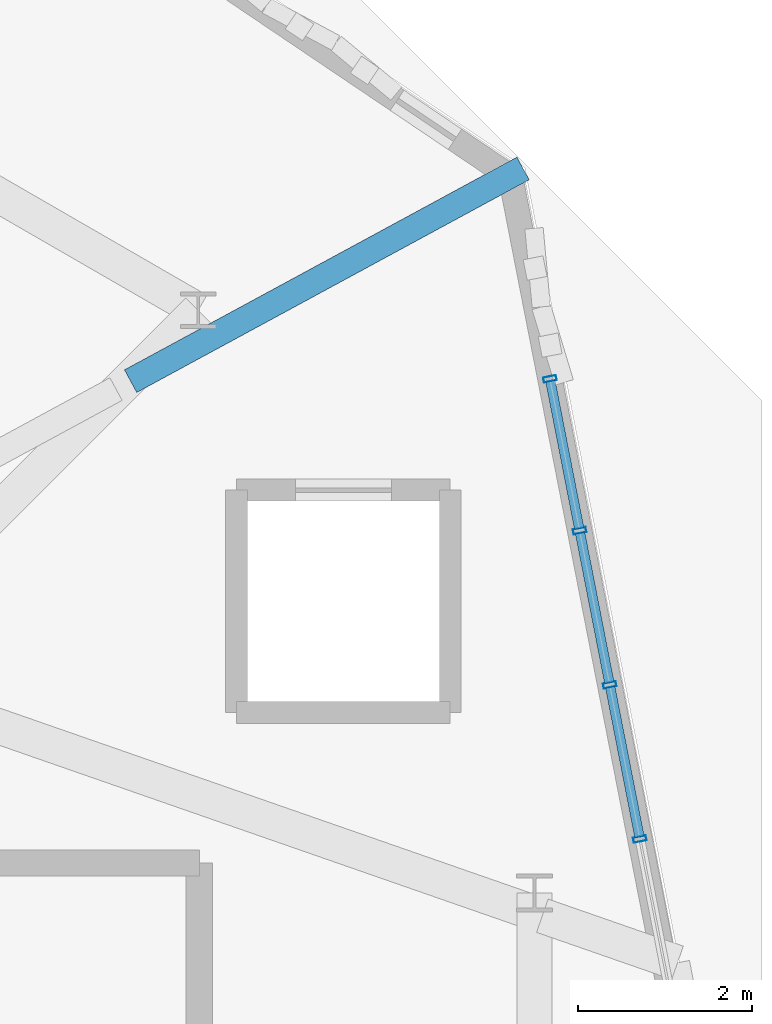
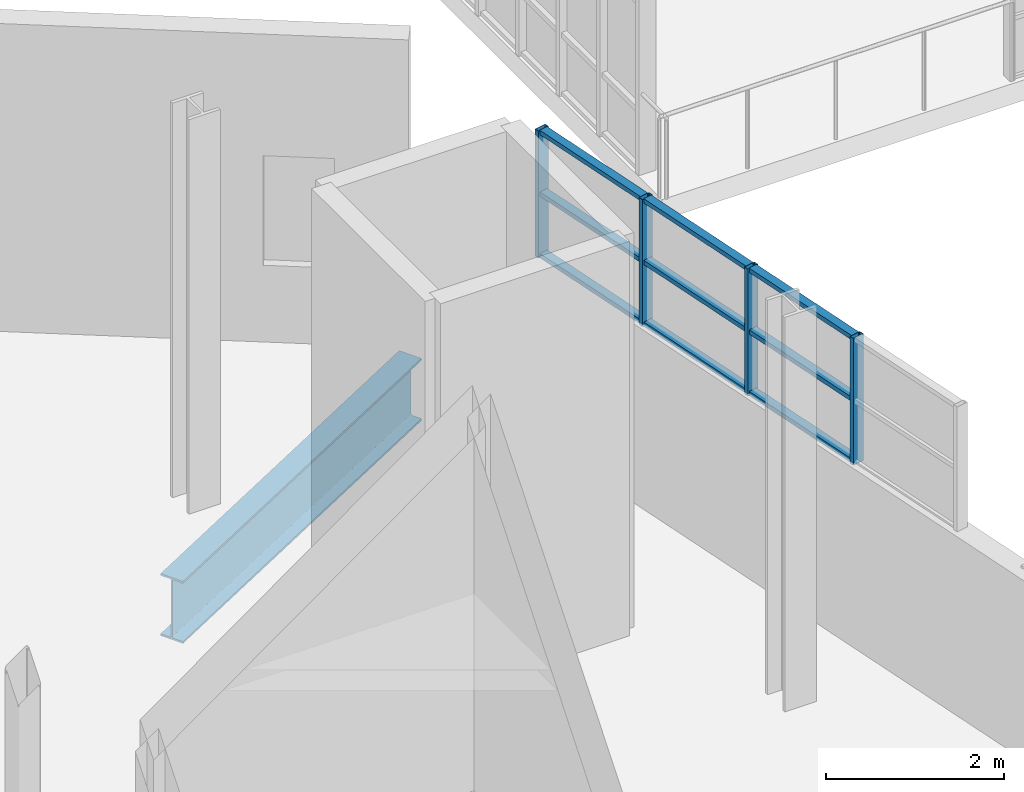
# One storey, part 44 of 142: 13 members, 1 beam, 1 element without a shape of its own.
"""IFC4 building model written with IfcOpenShell, lengths in metres."""

import ifcopenshell
import ifcopenshell.guid

model = None  # the IFC model being written
_history = None  # IfcOwnerHistory: only IFC2X3 demands one
_inside = {}  # id of a spatial element -> (the spatial element, [elements in it])
_under = {}  # id of a project, library or spatial element -> (it, [spatial elements below it])
_declared = {}  # id of a project -> (the project, [libraries it declares])
_typed = {}  # id of a type object -> (the type object, [elements of that type])
_made_of = {}  # id of a material, layer set ... -> (it, [elements and type objects made of it])


def new_model(schema):
    """Start an empty IFC model of exactly this schema.

    Asked for "IFC4X3", IfcOpenShell would pick the latest addendum, in which some entities
    have other attributes; the version numbers below select the first issue.
    IFC2X3 requires an IfcOwnerHistory on every rooted entity: one is made here for all.
    """
    global model, _history
    if schema == "IFC4X3":
        model = ifcopenshell.file(schema_version=(4, 3, 0, 0))
    else:
        model = ifcopenshell.file(schema=schema)
    _inside.clear()
    _under.clear()
    _declared.clear()
    _typed.clear()
    _made_of.clear()
    _history = None
    if model.schema == "IFC2X3":
        org = make("IfcOrganization", Name="unknown")
        user = make(
            "IfcPersonAndOrganization",
            ThePerson=make("IfcPerson", FamilyName="unknown"),
            TheOrganization=org,
        )
        app = make(
            "IfcApplication",
            ApplicationDeveloper=org,
            Version="unknown",
            ApplicationFullName="unknown",
            ApplicationIdentifier="unknown",
        )
        _history = make(
            "IfcOwnerHistory",
            OwningUser=user,
            OwningApplication=app,
            ChangeAction="ADDED",
            CreationDate=0,
        )
    return model


def make(cls, **values):
    """One entity of the class cls with the attributes given. An attribute that is None is left unset."""
    return model.create_entity(
        cls, **{name: value for name, value in values.items() if value is not None}
    )


def rooted(cls, **values):
    """An entity with a GlobalId (a new one), such as an element, a storey or a relation."""
    return make(cls, GlobalId=ifcopenshell.guid.new(), OwnerHistory=_history, **values)


def si_unit(unit_type, name, prefix=None):
    """IfcSIUnit, for example si_unit("LENGTHUNIT", "METRE", prefix="MILLI")."""
    return make("IfcSIUnit", UnitType=unit_type, Prefix=prefix, Name=name)


def assignment(units):
    """IfcUnitAssignment: the units of a project."""
    return None if units is None else make("IfcUnitAssignment", Units=units)


def point(xyz):
    """IfcCartesianPoint."""
    return None if xyz is None else make("IfcCartesianPoint", Coordinates=xyz)


def direction(xyz):
    """IfcDirection."""
    return None if xyz is None else make("IfcDirection", DirectionRatios=xyz)


def frame(location, z_axis=None, x_axis=None):
    """IfcAxis2Placement3D, a coordinate frame: its origin and axes. An axis left out is left unset."""
    return make(
        "IfcAxis2Placement3D",
        Location=point(location),
        Axis=direction(z_axis),
        RefDirection=direction(x_axis),
    )


def frame_2d(location, x_axis=None):
    """IfcAxis2Placement2D, a coordinate frame in the plane: its origin and x axis."""
    return make(
        "IfcAxis2Placement2D", Location=point(location), RefDirection=direction(x_axis)
    )


def origin():
    """The frame at (0, 0, 0) with its axes left unset."""
    return frame((0.0, 0.0, 0.0))


def origin_2d():
    """The frame at (0, 0) in the plane with its x axis left unset."""
    return frame_2d((0.0, 0.0))


def place(relative_to, where):
    """IfcLocalPlacement: puts the frame where relative to a parent placement (None: the world)."""
    return make(
        "IfcLocalPlacement", PlacementRelTo=relative_to, RelativePlacement=where
    )


def context(
    kind, dimensions, precision=None, world=None, true_north=None, identifier=None
):
    """IfcGeometricRepresentationContext, for example the 3D "Model" context."""
    return make(
        "IfcGeometricRepresentationContext",
        ContextIdentifier=identifier,
        ContextType=kind,
        CoordinateSpaceDimension=dimensions,
        Precision=precision,
        WorldCoordinateSystem=world,
        TrueNorth=true_north,
    )


def subcontext(parent, identifier, kind, view, scale=None):
    """IfcGeometricRepresentationSubContext, for example "Body" below "Model"."""
    return make(
        "IfcGeometricRepresentationSubContext",
        ContextIdentifier=identifier,
        ContextType=kind,
        ParentContext=parent,
        TargetScale=scale,
        TargetView=view,
    )


def project(units=None, contexts=None):
    """IfcProject with its units and contexts."""
    return rooted(
        "IfcProject",
        Name="project",
        RepresentationContexts=contexts,
        UnitsInContext=assignment(units),
    )


def spatial(cls, under=None, at=None, **own):
    """A site, building, storey or space (cls), placed at a placement, below another one or the project."""
    s = rooted(cls, ObjectPlacement=at, **own)
    if under is not None:
        _under.setdefault(under.id(), (under, []))[1].append(s)
    return s


def profile(cls, at=None, kind="AREA", **sizes):
    """A parametric profile (cls). Its sizes go by their IFC names, for example OverallWidth=200.0."""
    return make(cls, ProfileType=kind, Position=at, **sizes)


def hollow_rectangle(**sizes):
    """IfcRectangleHollowProfileDef."""
    return profile("IfcRectangleHollowProfileDef", **sizes)


def i_section(**sizes):
    """IfcIShapeProfileDef."""
    return profile("IfcIShapeProfileDef", **sizes)


def extrude(swept, where, along, depth):
    """IfcExtrudedAreaSolid: the profile swept, set in the frame where, extruded along a direction by depth."""
    return make(
        "IfcExtrudedAreaSolid",
        SweptArea=swept,
        Position=where,
        ExtrudedDirection=direction(along),
        Depth=depth,
    )


def shape(context_of_items, identifier, shape_type, items):
    """IfcShapeRepresentation: the items that make up one representation, for example the "Body"."""
    return make(
        "IfcShapeRepresentation",
        ContextOfItems=context_of_items,
        RepresentationIdentifier=identifier,
        RepresentationType=shape_type,
        Items=items,
    )


def material(Name=None, Category=None):
    """IfcMaterial."""
    return make("IfcMaterial", Name=Name, Category=Category)


def layer(
    of_material, thickness, ventilated=None, Name=None, Category=None, Priority=None
):
    """IfcMaterialLayer: one layer of a wall or slab, of a material (None: an air gap)."""
    return make(
        "IfcMaterialLayer",
        Material=of_material,
        LayerThickness=thickness,
        IsVentilated=ventilated,
        Name=Name,
        Category=Category,
        Priority=Priority,
    )


def layer_set(layers, Name=None):
    """IfcMaterialLayerSet."""
    return make("IfcMaterialLayerSet", MaterialLayers=layers, LayerSetName=Name)


def material_profile(
    of_material, cross_section, Name=None, Category=None, Priority=None
):
    """IfcMaterialProfile: a cross section and its material."""
    return make(
        "IfcMaterialProfile",
        Name=Name,
        Material=of_material,
        Profile=cross_section,
        Priority=Priority,
        Category=Category,
    )


def profile_set(profiles, Name=None, composite=None):
    """IfcMaterialProfileSet."""
    return make(
        "IfcMaterialProfileSet",
        Name=Name,
        MaterialProfiles=profiles,
        CompositeProfile=composite,
    )


def made_of(thing, what):
    """Note that an element or type object is made of a material, layer set ...; save() writes the relation."""
    if what is not None:
        _made_of.setdefault(what.id(), (what, []))[1].append(thing)
    return thing


def type_object(cls, material=None, **own):
    """A type object (cls), such as IfcWallType, which elements share."""
    return made_of(rooted(cls, **own), material)


def element(
    cls,
    number,
    at=None,
    inside=None,
    cuts=None,
    type_object=None,
    material=None,
    context=None,
    identifier="Body",
    shape_type=None,
    held_by="IfcProductDefinitionShape",
    body=None,
    shapes=None,
    **own,
):
    """One element of the class cls, such as IfcWall. Its Tag is "e" and its number.

    at: its placement. inside: the storey or other place that contains it. cuts: it is an
    opening in that element (IfcRelVoidsElement). A single representation is given by context,
    identifier, shape_type and body (its items); several are given by shapes. held_by: the class
    of the entity that holds the representations. save() writes the other relations.
    """
    e = rooted(cls, Tag="e%d" % number, ObjectPlacement=at, **own)
    if body is not None:
        shapes = [shape(context, identifier, shape_type, body)]
    if shapes is not None:
        e.Representation = make(held_by, Representations=shapes)
    if inside is not None:
        _inside.setdefault(inside.id(), (inside, []))[1].append(e)
    if cuts is not None:
        rooted(
            "IfcRelVoidsElement", RelatingBuildingElement=cuts, RelatedOpeningElement=e
        )
    if type_object is not None:
        _typed.setdefault(type_object.id(), (type_object, []))[1].append(e)
    return made_of(e, material)


def aggregate(whole, parts):
    """IfcRelAggregates: a whole, such as a stair, and the parts it consists of."""
    return rooted("IfcRelAggregates", RelatingObject=whole, RelatedObjects=parts)


def save(model, path):
    """Write the relations noted so far, then the file.

    IfcRelAggregates (storeys below a building ...), IfcRelContainedInSpatialStructure (elements
    in a storey), IfcRelDefinesByType, IfcRelAssociatesMaterial and IfcRelDeclares: one each for
    every whole, place, type object, material and project.
    """
    for whole, parts in _under.values():
        aggregate(whole, parts)
    for where, things in _inside.values():
        rooted(
            "IfcRelContainedInSpatialStructure",
            RelatedElements=things,
            RelatingStructure=where,
        )
    for kind, things in _typed.values():
        rooted("IfcRelDefinesByType", RelatedObjects=things, RelatingType=kind)
    for what, things in _made_of.values():
        rooted("IfcRelAssociatesMaterial", RelatedObjects=things, RelatingMaterial=what)
    for by, libraries in _declared.values():
        rooted("IfcRelDeclares", RelatingContext=by, RelatedDefinitions=libraries)
    model.write(path)


model = new_model("IFC4")

# Units and contexts
model_context = context("Model", 3, precision=1e-05, world=origin(), true_north=direction((0.0, 1.0)))
body_context = subcontext(model_context, "Body", "Model", "MODEL_VIEW")
ifc_project = project(units=[si_unit("LENGTHUNIT", "METRE"), si_unit("AREAUNIT", "SQUARE_METRE"), si_unit("VOLUMEUNIT", "CUBIC_METRE"), si_unit("PLANEANGLEUNIT", "RADIAN"), si_unit("MASSUNIT", "GRAM", prefix="KILO"), si_unit("THERMODYNAMICTEMPERATUREUNIT", "KELVIN"), si_unit("POWERUNIT", "WATT")], contexts=[model_context])

# Site, building, storey
site_placement = place(None, origin())
site = spatial("IfcSite", under=ifc_project, at=site_placement, CompositionType="ELEMENT")
building_placement = place(site_placement, origin())
building = spatial("IfcBuilding", under=site, at=building_placement, Name="Zelmaris Science Centre", CompositionType="ELEMENT")
storey_placement = place(building_placement, frame((0.0, 0.0, 5.39990234375)))
storey = spatial("IfcBuildingStorey", under=building, at=storey_placement, Name="L01", CompositionType="ELEMENT", Elevation=5.39990234375)

# Curtain wall, members
ifc_material_1 = material(Name="Anodised architectural aluminium 6063-T6", Category="aluminium")
ifc_layer = layer(ifc_material_1, 0.219970703125, Name="Anodised architectural aluminium 6063-T6")
ifc_layer_set = layer_set([ifc_layer], Name="Anodised architectural aluminium 6063-T6")
curtain_wall_type = type_object("IfcCurtainWallType", Name="Curtain Wall CW-04", PredefinedType="USERDEFINED", material=ifc_layer_set)
curtain_wall_placement = place(storey_placement, origin())
curtain_wall = element("IfcCurtainWall", 1, at=curtain_wall_placement, inside=storey, type_object=curtain_wall_type, Name="L01 Clerestory curtain wall 176", ObjectType="GLAZED CURTAIN WALL", PredefinedType="USERDEFINED")
ifc_material_profile_1 = material_profile(ifc_material_1, hollow_rectangle(XDim=0.06005859375, YDim=0.14990234375, WallThickness=0.00341796875, at=origin_2d()), Name="ALU-MUL-60X150")
ifc_profile_set_1 = profile_set([ifc_material_profile_1], Name="Anodised architectural aluminium 6063-T6")
member_type_1 = type_object("IfcMemberType", Name="ALU-MUL-60X150", PredefinedType="MULLION", material=ifc_profile_set_1)
member_1_placement = place(storey_placement, frame((95.56884765625, 45.750732421875, 2.420166015625), z_axis=(0.0, 0.0, 1.0), x_axis=(0.191749488828, -0.981443902388, 0.0)))
member_1 = element("IfcMember", 2, at=member_1_placement, type_object=member_type_1, Name="CW-04 mullion 1", PredefinedType="MULLION", context=body_context, shape_type="SweptSolid", body=[
    extrude(hollow_rectangle(XDim=0.06005859375, YDim=0.14990234375, WallThickness=0.00341796875, at=origin_2d()), origin(), (0.0, 0.0, 1.0), 1.739013671875),
])
member_2_placement = place(storey_placement, frame((95.908935546875, 44.009521484375, 2.420166015625), z_axis=(0.0, 0.0, 1.0), x_axis=(0.191749488828, -0.981443902388, 0.0)))
member_2 = element("IfcMember", 3, at=member_2_placement, type_object=member_type_1, Name="CW-04 mullion 2", PredefinedType="MULLION", context=body_context, shape_type="SweptSolid", body=[
    extrude(hollow_rectangle(XDim=0.06005859375, YDim=0.14990234375, WallThickness=0.00341796875, at=origin_2d()), origin(), (0.0, 0.0, 1.0), 1.739013671875),
])
member_3_placement = place(storey_placement, frame((96.254150390625, 42.242919921875, 2.420166015625), z_axis=(0.0, 0.0, 1.0), x_axis=(0.191749488828, -0.981443902388, 0.0)))
member_3 = element("IfcMember", 4, at=member_3_placement, type_object=member_type_1, Name="CW-04 mullion 3", PredefinedType="MULLION", context=body_context, shape_type="SweptSolid", body=[
    extrude(hollow_rectangle(XDim=0.06005859375, YDim=0.14990234375, WallThickness=0.00341796875, at=origin_2d()), origin(), (0.0, 0.0, 1.0), 1.739013671875),
])
member_4_placement = place(storey_placement, frame((96.599365234375, 40.476318359375, 2.420166015625), z_axis=(0.0, 0.0, 1.0), x_axis=(0.191749488828, -0.981443902388, 0.0)))
member_4 = element("IfcMember", 5, at=member_4_placement, type_object=member_type_1, Name="CW-04 mullion 4", PredefinedType="MULLION", context=body_context, shape_type="SweptSolid", body=[
    extrude(hollow_rectangle(XDim=0.06005859375, YDim=0.14990234375, WallThickness=0.00341796875, at=origin_2d()), origin(), (0.0, 0.0, 1.0), 1.739013671875),
])
ifc_material_profile_2 = material_profile(ifc_material_1, hollow_rectangle(XDim=0.06005859375, YDim=0.110107421875, WallThickness=0.0029296875, at=origin_2d()), Name="ALU-TRN-60X110")
ifc_profile_set_2 = profile_set([ifc_material_profile_2], Name="Anodised architectural aluminium 6063-T6")
member_type_2 = type_object("IfcMemberType", Name="ALU-TRN-60X110", PredefinedType="USERDEFINED", material=ifc_profile_set_2)
member_5_placement = place(storey_placement, frame((95.573974609375, 45.72509765625, 2.446044921875), z_axis=(0.191696914392, -0.98145417265, 0.0), x_axis=(0.0, 0.0, 1.0)))
member_5 = element("IfcMember", 6, at=member_5_placement, type_object=member_type_2, Name="CW-04 transom 1.1", ObjectType="TRANSOM", PredefinedType="USERDEFINED", context=body_context, shape_type="SweptSolid", body=[
    extrude(hollow_rectangle(XDim=0.06005859375, YDim=0.110107421875, WallThickness=0.0029296875, at=origin_2d()), origin(), (0.0, 0.0, 1.0), 1.721923828125),
])
member_6_placement = place(storey_placement, frame((95.573974609375, 45.72509765625, 3.28955078125), z_axis=(0.191696914392, -0.98145417265, 0.0), x_axis=(0.0, 0.0, 1.0)))
member_6 = element("IfcMember", 7, at=member_6_placement, type_object=member_type_2, Name="CW-04 transom 1.2", ObjectType="TRANSOM", PredefinedType="USERDEFINED", context=body_context, shape_type="SweptSolid", body=[
    extrude(hollow_rectangle(XDim=0.06005859375, YDim=0.110107421875, WallThickness=0.0029296875, at=origin_2d()), origin(), (0.0, 0.0, 1.0), 1.721923828125),
])
member_7_placement = place(storey_placement, frame((95.573974609375, 45.72509765625, 4.133056640625), z_axis=(0.191696914392, -0.98145417265, 0.0), x_axis=(0.0, 0.0, 1.0)))
member_7 = element("IfcMember", 8, at=member_7_placement, type_object=member_type_2, Name="CW-04 transom 1.3", ObjectType="TRANSOM", PredefinedType="USERDEFINED", context=body_context, shape_type="SweptSolid", body=[
    extrude(hollow_rectangle(XDim=0.06005859375, YDim=0.110107421875, WallThickness=0.0029296875, at=origin_2d()), origin(), (0.0, 0.0, 1.0), 1.721923828125),
])
member_8_placement = place(storey_placement, frame((95.9140625, 43.984130859375, 2.446044921875), z_axis=(0.191763034608, -0.981441255785, 0.0), x_axis=(0.0, 0.0, 1.0)))
member_8 = element("IfcMember", 9, at=member_8_placement, type_object=member_type_2, Name="CW-04 transom 2.1", ObjectType="TRANSOM", PredefinedType="USERDEFINED", context=body_context, shape_type="SweptSolid", body=[
    extrude(hollow_rectangle(XDim=0.06005859375, YDim=0.110107421875, WallThickness=0.0029296875, at=origin_2d()), origin(), (0.0, 0.0, 1.0), 1.748046875),
])
member_9_placement = place(storey_placement, frame((95.9140625, 43.984130859375, 3.28955078125), z_axis=(0.191763034608, -0.981441255785, 0.0), x_axis=(0.0, 0.0, 1.0)))
member_9 = element("IfcMember", 10, at=member_9_placement, type_object=member_type_2, Name="CW-04 transom 2.2", ObjectType="TRANSOM", PredefinedType="USERDEFINED", context=body_context, shape_type="SweptSolid", body=[
    extrude(hollow_rectangle(XDim=0.06005859375, YDim=0.110107421875, WallThickness=0.0029296875, at=origin_2d()), origin(), (0.0, 0.0, 1.0), 1.748046875),
])
member_10_placement = place(storey_placement, frame((95.9140625, 43.984130859375, 4.133056640625), z_axis=(0.191763034608, -0.981441255785, 0.0), x_axis=(0.0, 0.0, 1.0)))
member_10 = element("IfcMember", 11, at=member_10_placement, type_object=member_type_2, Name="CW-04 transom 2.3", ObjectType="TRANSOM", PredefinedType="USERDEFINED", context=body_context, shape_type="SweptSolid", body=[
    extrude(hollow_rectangle(XDim=0.06005859375, YDim=0.110107421875, WallThickness=0.0029296875, at=origin_2d()), origin(), (0.0, 0.0, 1.0), 1.748046875),
])
member_11_placement = place(storey_placement, frame((96.25927734375, 42.217529296875, 2.446044921875), z_axis=(0.191763034608, -0.981441255785, 0.0), x_axis=(0.0, 0.0, 1.0)))
member_11 = element("IfcMember", 12, at=member_11_placement, type_object=member_type_2, Name="CW-04 transom 3.1", ObjectType="TRANSOM", PredefinedType="USERDEFINED", context=body_context, shape_type="SweptSolid", body=[
    extrude(hollow_rectangle(XDim=0.06005859375, YDim=0.110107421875, WallThickness=0.0029296875, at=origin_2d()), origin(), (0.0, 0.0, 1.0), 1.748046875),
])
member_12_placement = place(storey_placement, frame((96.25927734375, 42.217529296875, 3.28955078125), z_axis=(0.191763034608, -0.981441255785, 0.0), x_axis=(0.0, 0.0, 1.0)))
member_12 = element("IfcMember", 13, at=member_12_placement, type_object=member_type_2, Name="CW-04 transom 3.2", ObjectType="TRANSOM", PredefinedType="USERDEFINED", context=body_context, shape_type="SweptSolid", body=[
    extrude(hollow_rectangle(XDim=0.06005859375, YDim=0.110107421875, WallThickness=0.0029296875, at=origin_2d()), origin(), (0.0, 0.0, 1.0), 1.748046875),
])
member_13_placement = place(storey_placement, frame((96.25927734375, 42.217529296875, 4.133056640625), z_axis=(0.191763034608, -0.981441255785, 0.0), x_axis=(0.0, 0.0, 1.0)))
member_13 = element("IfcMember", 14, at=member_13_placement, type_object=member_type_2, Name="CW-04 transom 3.3", ObjectType="TRANSOM", PredefinedType="USERDEFINED", context=body_context, shape_type="SweptSolid", body=[
    extrude(hollow_rectangle(XDim=0.06005859375, YDim=0.110107421875, WallThickness=0.0029296875, at=origin_2d()), origin(), (0.0, 0.0, 1.0), 1.748046875),
])
aggregate(curtain_wall, [member_1, member_2, member_3, member_4, member_5, member_6, member_7, member_8, member_9, member_10, member_11, member_12, member_13])

# Beam
ifc_material_2 = material(Name="Steel ASTM A992 Grade 50", Category="steel")
ifc_material_profile_3 = material_profile(ifc_material_2, i_section(OverallWidth=0.294921875, OverallDepth=0.85107421875, WebThickness=0.01611328125, FlangeThickness=0.02685546875, FilletRadius=0.02001953125, at=origin_2d()), Name="W33X152")
ifc_profile_set_3 = profile_set([ifc_material_profile_3], Name="Steel ASTM A992 Grade 50")
beam_type = type_object("IfcBeamType", Name="Beam G-06 W33X152", PredefinedType="BEAM", material=ifc_profile_set_3)
beam_placement = place(storey_placement, frame((90.76220703125, 45.72412109375, -0.725341796875), z_axis=(0.879167048894, 0.476513693548, 0.0), x_axis=(-0.476513693548, 0.879167048894, 0.0)))
element("IfcBeam", 15, at=beam_placement, inside=storey, type_object=beam_type, Name="L01 Radial overhang girder 6", PredefinedType="BEAM", context=body_context, shape_type="SweptSolid", body=[
    extrude(i_section(OverallWidth=0.294921875, OverallDepth=0.85107421875, WebThickness=0.01611328125, FlangeThickness=0.02685546875, FilletRadius=0.02001953125, at=origin_2d()), origin(), (0.0, 0.0, 1.0), 5.11669921875),
])

save(model, "model.ifc")
